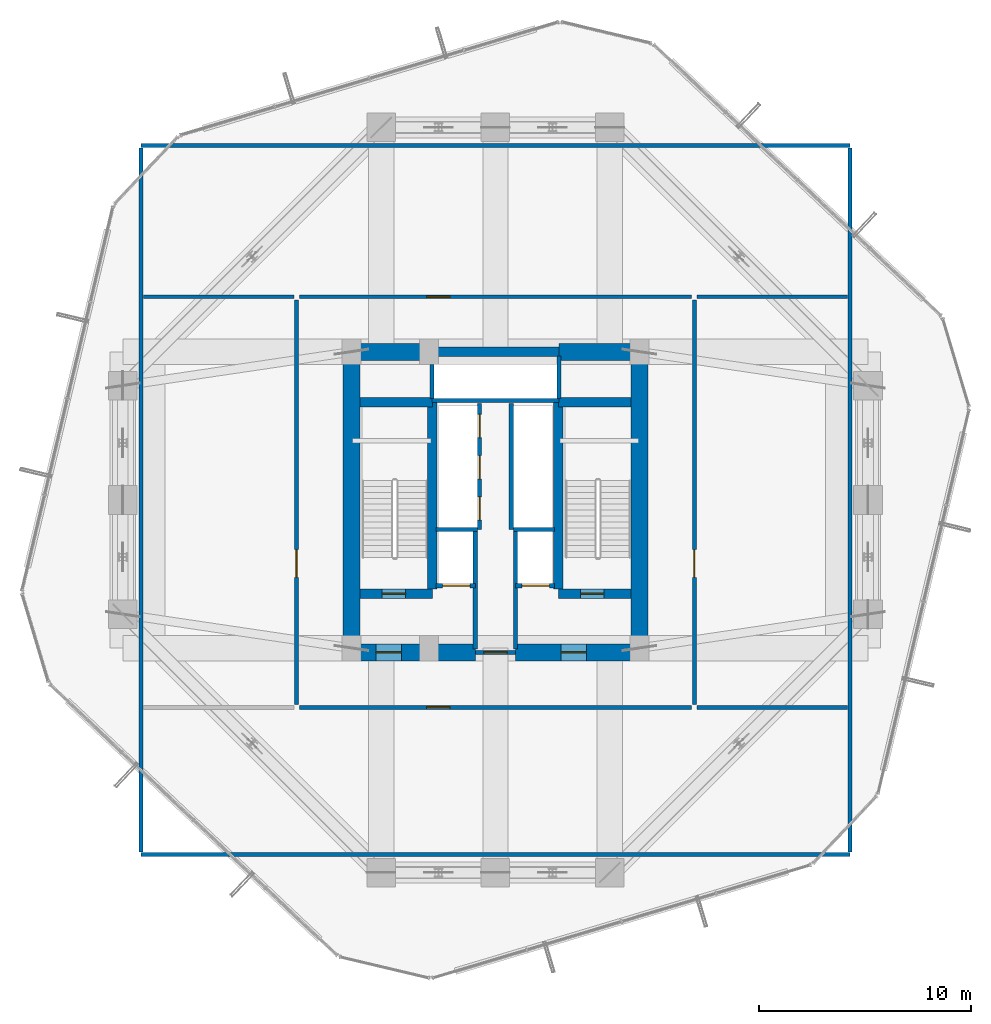
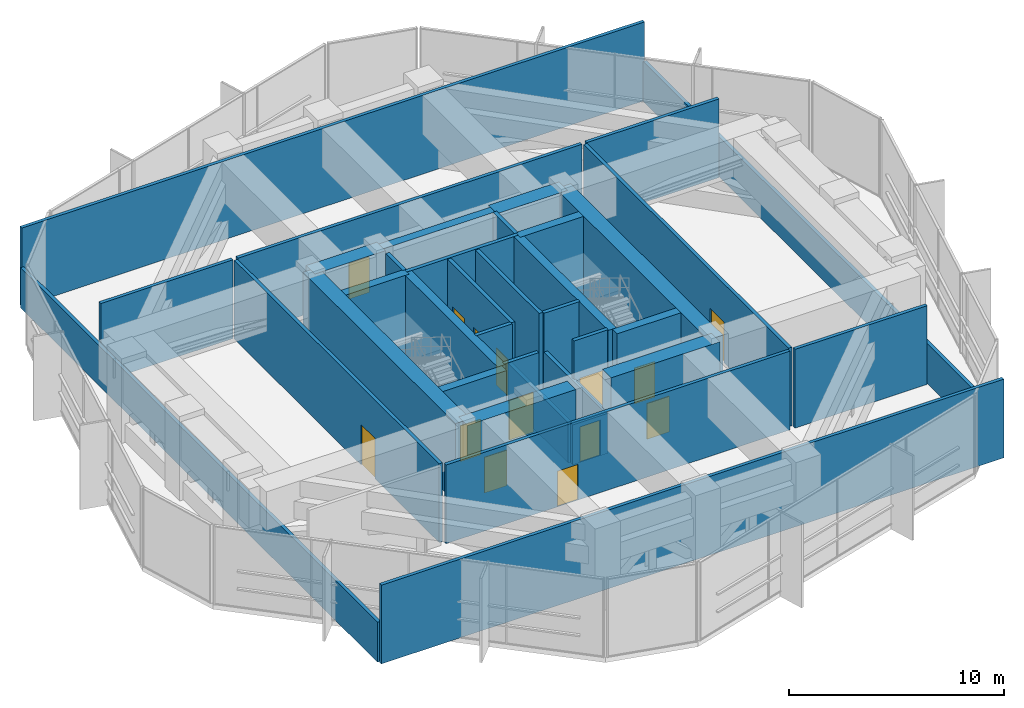
# One storey, part 37 of 41: 36 walls, 14 doors, 14 openings.
"""IFC4 building model written with IfcOpenShell, lengths in metres."""

from ifc_helpers import new_model, si_unit, direction, frame, frame_2d, origin, place, context, subcontext, project, spatial, rectangle, extrude, source, transform, mapped, material, layer, layer_set, type_object, element, fill, save


model = new_model("IFC4")

# Units and contexts
model_context = context("Model", 3, precision=1e-05, world=origin(), true_north=direction((0.0, 1.0)))
body_context = subcontext(model_context, "Body", "Model", "MODEL_VIEW")
ifc_project = project(units=[si_unit("LENGTHUNIT", "METRE"), si_unit("AREAUNIT", "SQUARE_METRE"), si_unit("VOLUMEUNIT", "CUBIC_METRE"), si_unit("PLANEANGLEUNIT", "RADIAN"), si_unit("MASSUNIT", "GRAM", prefix="KILO")], contexts=[model_context])

# Site, building, storey
site_placement = place(None, origin())
site = spatial("IfcSite", under=ifc_project, at=site_placement, CompositionType="ELEMENT")
building_placement = place(site_placement, origin())
building = spatial("IfcBuilding", under=site, at=building_placement, Name="Veraguas Prism Commons", CompositionType="ELEMENT")
storey_placement = place(building_placement, frame((0.0, 0.0, 80.35009765625)))
storey = spatial("IfcBuildingStorey", under=building, at=storey_placement, Name="L22", CompositionType="ELEMENT", Elevation=80.35009765625)

# Wall
ifc_material_1 = material(Name="Concrete C60/75", Category="concrete")
ifc_layer_1 = layer(ifc_material_1, 0.449951171875, Name="Core Internal Shear Wall Lower RC 450", Category="concrete")
ifc_layer_set_1 = layer_set([ifc_layer_1], Name="Concrete C60/75")
wall_type_1 = type_object("IfcWallType", Name="Core Internal Shear Wall Lower RC 450", PredefinedType="SHEAR", material=ifc_layer_set_1)
wall_1_placement = place(storey_placement, frame((21.0, 31.0, 0.0), z_axis=(0.0, 0.0, 1.0), x_axis=(1.0, 0.0, 0.0)))
element("IfcWall", 1, at=wall_1_placement, inside=storey, type_object=wall_type_1, Name="High-Rise Lift Bank Front Shear Wall L22", PredefinedType="SHEAR", context=body_context, shape_type="SweptSolid", body=[
    extrude(rectangle(XDim=6.0, YDim=0.449951171875, at=frame_2d((3.0, 0.0))), origin(), (0.0, 0.0, 1.0), 4.47998046875),
])

# Wall, opening, door
wall_2_placement = place(storey_placement, frame((17.60009765625, 19.574951171875, 0.0), z_axis=(0.0, 0.0, 1.0), x_axis=(1.0, 0.0, 0.0)))
wall_2 = element("IfcWall", 2, at=wall_2_placement, inside=storey, type_object=wall_type_1, Name="Stair ST-01 South Shear Wall L22", PredefinedType="SHEAR", context=body_context, shape_type="SweptSolid", body=[
    extrude(rectangle(XDim=3.4248046875, YDim=0.449951171875, at=frame_2d((1.71240234375, 0.0))), origin(), (0.0, 0.0, 1.0), 4.47998046875),
])
opening_1_placement = place(wall_2_placement, frame((1.050048828125, 0.0, 0.0)))
opening_1 = element("IfcOpeningElement", 3, at=opening_1_placement, cuts=wall_2, Name="Opening DR-05", PredefinedType="OPENING", context=body_context, shape_type="SweptSolid", body=[
    extrude(rectangle(XDim=1.10009765625, YDim=2.030029296875, at=frame_2d((0.550048828125, 1.01513671875))), frame((0.0, 0.23486328125, 0.0), z_axis=(0.0, -1.0, 0.0), x_axis=(1.0, 0.0, 0.0)), (0.0, 0.0, 1.0), 0.469970703125),
])
ifc_material_2 = material(Name="Steel fire-rated door assembly", Category="steel")
door_type_1 = type_object("IfcDoorType", Name="Protected Stair and Refuge Fire Door 1100x2030", OperationType="NOTDEFINED", PredefinedType="DOOR", material=ifc_material_2)
shared_shape_1 = source(origin(), body_context, "Body", "SweptSolid", [
    extrude(rectangle(XDim=1.10009765625, YDim=2.030029296875, at=frame_2d((0.550048828125, 1.01513671875))), frame((0.0, 0.02490234375, 0.0), z_axis=(0.0, -1.0, 0.0), x_axis=(1.0, 0.0, 0.0)), (0.0, 0.0, 1.0), 0.050048828125),
])
door_1_placement = place(opening_1_placement, origin())
door_1 = element("IfcDoor", 4, at=door_1_placement, inside=storey, type_object=door_type_1, Name="Stair ST-01 Enclosure Door L22", OperationType="SINGLE_SWING_LEFT", OverallHeight=2.030029296875, OverallWidth=1.10009765625, PredefinedType="DOOR", context=body_context, shape_type="MappedRepresentation", body=[
    mapped(shared_shape_1, transform((0.0, 0.0, 0.0), scale=1.0)),
])
fill(opening_1, door_1)

wall_3_placement = place(storey_placement, frame((26.97509765625, 19.574951171875, 0.0), z_axis=(0.0, 0.0, 1.0), x_axis=(1.0, 0.0, 0.0)))
wall_3 = element("IfcWall", 5, at=wall_3_placement, inside=storey, type_object=wall_type_1, Name="Stair ST-02 South Shear Wall L22", PredefinedType="SHEAR", context=body_context, shape_type="SweptSolid", body=[
    extrude(rectangle(XDim=3.4248046875, YDim=0.449951171875, at=frame_2d((1.71240234375, 0.0))), origin(), (0.0, 0.0, 1.0), 4.47998046875),
])
opening_2_placement = place(wall_3_placement, frame((1.050048828125, 0.0, 0.0)))
opening_2 = element("IfcOpeningElement", 6, at=opening_2_placement, cuts=wall_3, Name="Opening DR-05", PredefinedType="OPENING", context=body_context, shape_type="SweptSolid", body=[
    extrude(rectangle(XDim=1.10009765625, YDim=2.030029296875, at=frame_2d((0.550048828125, 1.01513671875))), frame((0.0, 0.23486328125, 0.0), z_axis=(0.0, -1.0, 0.0), x_axis=(1.0, 0.0, 0.0)), (0.0, 0.0, 1.0), 0.469970703125),
])
door_2_placement = place(opening_2_placement, origin())
door_2 = element("IfcDoor", 7, at=door_2_placement, inside=storey, type_object=door_type_1, Name="Stair ST-02 Enclosure Door L22", OperationType="SINGLE_SWING_RIGHT", OverallHeight=2.030029296875, OverallWidth=1.10009765625, PredefinedType="DOOR", context=body_context, shape_type="MappedRepresentation", body=[
    mapped(shared_shape_1, transform((0.0, 0.0, 0.0), scale=1.0)),
])
fill(opening_2, door_2)

# Walls
for number, where, z_axis, x_axis, name in (
    (8, (21.02490234375, 19.800048828125, 0.0), (0.0, 0.0, 1.0), (0.0, 1.0, 0.0), "Stair ST-01 Inner Shear Wall L22"),
    (9, (26.97509765625, 19.800048828125, 0.0), (0.0, 0.0, 1.0), (0.0, 1.0, 0.0), "Stair ST-02 Inner Shear Wall L22"),
):
    element("IfcWall", number, at=place(storey_placement, frame(where, z_axis=z_axis, x_axis=x_axis)), inside=storey, type_object=wall_type_1, Name=name, PredefinedType="SHEAR", context=body_context, shape_type="SweptSolid", body=[
        extrude(rectangle(XDim=8.824951171875, YDim=0.449951171875, at=frame_2d((4.41259765625, 0.0))), origin(), (0.0, 0.0, 1.0), 4.47998046875),
    ])
for number, where, z_axis, x_axis, name in (
    (10, (17.60009765625, 28.625, 0.0), (0.0, 0.0, 1.0), (1.0, 0.0, 0.0), "Stair ST-01 North Shear Wall L22"),
    (11, (26.97509765625, 28.625, 0.0), (0.0, 0.0, 1.0), (1.0, 0.0, 0.0), "Stair ST-02 North Shear Wall L22"),
):
    element("IfcWall", number, at=place(storey_placement, frame(where, z_axis=z_axis, x_axis=x_axis)), inside=storey, type_object=wall_type_1, Name=name, PredefinedType="SHEAR", context=body_context, shape_type="SweptSolid", body=[
        extrude(rectangle(XDim=3.4248046875, YDim=0.449951171875, at=frame_2d((1.71240234375, 0.0))), origin(), (0.0, 0.0, 1.0), 4.47998046875),
    ])
ifc_layer_2 = layer(ifc_material_1, 0.800048828125, Name="Core Outer Shear Wall Lower RC 800", Category="concrete")
ifc_layer_set_2 = layer_set([ifc_layer_2], Name="Concrete C60/75")
wall_type_2 = type_object("IfcWallType", Name="Core Outer Shear Wall Lower RC 800", PredefinedType="SHEAR", material=ifc_layer_set_2)
for number, where, z_axis, x_axis, name in (
    (12, (17.199951171875, 16.800048828125, 0.0), (0.0, 0.0, 1.0), (0.0, 1.0, 0.0), "Central Core West Shear Wall L22"),
    (13, (30.800048828125, 16.800048828125, 0.0), (0.0, 0.0, 1.0), (0.0, 1.0, 0.0), "Central Core East Shear Wall L22"),
):
    element("IfcWall", number, at=place(storey_placement, frame(where, z_axis=z_axis, x_axis=x_axis)), inside=storey, type_object=wall_type_2, Name=name, PredefinedType="SHEAR", context=body_context, shape_type="SweptSolid", body=[
        extrude(rectangle(XDim=14.199951171875, YDim=0.800048828125, at=frame_2d((7.10009765625, 0.0))), origin(), (0.0, 0.0, 1.0), 4.47998046875),
    ])

# Wall, opening, door
wall_4_placement = place(storey_placement, frame((17.199951171875, 16.800048828125, 0.0), z_axis=(0.0, 0.0, 1.0), x_axis=(1.0, 0.0, 0.0)))
wall_4 = element("IfcWall", 14, at=wall_4_placement, inside=storey, type_object=wall_type_2, Name="Central Core South-West Shear Wall L22", PredefinedType="SHEAR", context=body_context, shape_type="SweptSolid", body=[
    extrude(rectangle(XDim=5.85009765625, YDim=0.800048828125, at=frame_2d((2.925048828125, 0.0))), origin(), (0.0, 0.0, 1.0), 4.47998046875),
])
opening_3_placement = place(wall_4_placement, frame((1.14990234375, 0.0, 0.0)))
opening_3 = element("IfcOpeningElement", 15, at=opening_3_placement, cuts=wall_4, Name="Opening DR-06", PredefinedType="OPENING", context=body_context, shape_type="SweptSolid", body=[
    extrude(rectangle(XDim=1.199951171875, YDim=2.030029296875, at=frame_2d((0.60009765625, 1.01513671875))), frame((0.0, 0.409912109375, 0.0), z_axis=(0.0, -1.0, 0.0), x_axis=(1.0, 0.0, 0.0)), (0.0, 0.0, 1.0), 0.820068359375),
])
door_type_2 = type_object("IfcDoorType", Name="Firefighting Lobby Smoke Door 1200x2030", OperationType="NOTDEFINED", PredefinedType="DOOR", material=ifc_material_2)
shared_shape_2 = source(origin(), body_context, "Body", "SweptSolid", [
    extrude(rectangle(XDim=1.199951171875, YDim=2.030029296875, at=frame_2d((0.60009765625, 1.01513671875))), frame((0.0, 0.02490234375, 0.0), z_axis=(0.0, -1.0, 0.0), x_axis=(1.0, 0.0, 0.0)), (0.0, 0.0, 1.0), 0.050048828125),
])
door_3_placement = place(opening_3_placement, origin())
door_3 = element("IfcDoor", 16, at=door_3_placement, inside=storey, type_object=door_type_2, Name="West FF Lobby Door L22", OperationType="SINGLE_SWING_RIGHT", OverallHeight=2.030029296875, OverallWidth=1.199951171875, PredefinedType="DOOR", context=body_context, shape_type="MappedRepresentation", body=[
    mapped(shared_shape_2, transform((0.0, 0.0, 0.0), scale=1.0)),
])
fill(opening_3, door_3)

wall_5_placement = place(storey_placement, frame((24.949951171875, 16.800048828125, 0.0), z_axis=(0.0, 0.0, 1.0), x_axis=(1.0, 0.0, 0.0)))
wall_5 = element("IfcWall", 17, at=wall_5_placement, inside=storey, type_object=wall_type_2, Name="Central Core South-East Shear Wall L22", PredefinedType="SHEAR", context=body_context, shape_type="SweptSolid", body=[
    extrude(rectangle(XDim=5.85009765625, YDim=0.800048828125, at=frame_2d((2.925048828125, 0.0))), origin(), (0.0, 0.0, 1.0), 4.47998046875),
])
opening_4_placement = place(wall_5_placement, frame((2.14990234375, 0.0, 0.0)))
opening_4 = element("IfcOpeningElement", 18, at=opening_4_placement, cuts=wall_5, Name="Opening DR-06", PredefinedType="OPENING", context=body_context, shape_type="SweptSolid", body=[
    extrude(rectangle(XDim=1.199951171875, YDim=2.030029296875, at=frame_2d((0.60009765625, 1.01513671875))), frame((0.0, 0.409912109375, 0.0), z_axis=(0.0, -1.0, 0.0), x_axis=(1.0, 0.0, 0.0)), (0.0, 0.0, 1.0), 0.820068359375),
])
door_4_placement = place(opening_4_placement, origin())
door_4 = element("IfcDoor", 19, at=door_4_placement, inside=storey, type_object=door_type_2, Name="East FF Lobby Door L22", OperationType="SINGLE_SWING_RIGHT", OverallHeight=2.030029296875, OverallWidth=1.199951171875, PredefinedType="DOOR", context=body_context, shape_type="MappedRepresentation", body=[
    mapped(shared_shape_2, transform((0.0, 0.0, 0.0), scale=1.0)),
])
fill(opening_4, door_4)

# Walls
for number, where, z_axis, x_axis, name in (
    (20, (17.199951171875, 31.0, 0.0), (0.0, 0.0, 1.0), (1.0, 0.0, 0.0), "Central Core North-West Shear Wall L22"),
    (21, (27.0, 31.0, 0.0), (0.0, 0.0, 1.0), (1.0, 0.0, 0.0), "Central Core North-East Shear Wall L22"),
):
    element("IfcWall", number, at=place(storey_placement, frame(where, z_axis=z_axis, x_axis=x_axis)), inside=storey, type_object=wall_type_2, Name=name, PredefinedType="SHEAR", context=body_context, shape_type="SweptSolid", body=[
        extrude(rectangle(XDim=3.800048828125, YDim=0.800048828125, at=frame_2d((1.89990234375, 0.0))), origin(), (0.0, 0.0, 1.0), 4.47998046875),
    ])

# Wall, opening, door
ifc_material_3 = material(Name="Autoclaved aerated masonry block 10 MPa", Category="masonry")
ifc_layer_3 = layer(ifc_material_3, 0.179931640625, Name="Corridor and Inter-Tenancy Partition 180", Category="masonry")
ifc_layer_set_3 = layer_set([ifc_layer_3], Name="Autoclaved aerated masonry block 10 MPa")
wall_type_3 = type_object("IfcWallType", Name="Corridor and Inter-Tenancy Partition 180", PredefinedType="PARTITIONING", material=ifc_layer_set_3)
wall_6_placement = place(storey_placement, frame((14.75, 14.199951171875, 0.0), z_axis=(0.0, 0.0, 1.0), x_axis=(1.0, 0.0, 0.0)))
wall_6 = element("IfcWall", 22, at=wall_6_placement, inside=storey, type_object=wall_type_3, Name="WL-L22-PLWS", PredefinedType="PARTITIONING", context=body_context, shape_type="SweptSolid", body=[
    extrude(rectangle(XDim=18.5, YDim=0.179931640625, at=frame_2d((9.25, 0.0))), origin(), (0.0, 0.0, 1.0), 4.47998046875),
])
opening_5_placement = place(wall_6_placement, frame((6.0, 0.0, 0.0)))
opening_5 = element("IfcOpeningElement", 23, at=opening_5_placement, cuts=wall_6, Name="Opening DR-05", PredefinedType="OPENING", context=body_context, shape_type="SweptSolid", body=[
    extrude(rectangle(XDim=1.10009765625, YDim=2.030029296875, at=frame_2d((0.550048828125, 1.01513671875))), frame((0.0, 0.099853515625, 0.0), z_axis=(0.0, -1.0, 0.0), x_axis=(1.0, 0.0, 0.0)), (0.0, 0.0, 1.0), 0.199951171875),
])
door_5_placement = place(opening_5_placement, origin())
door_5 = element("IfcDoor", 24, at=door_5_placement, inside=storey, type_object=door_type_1, Name="Chiller and Heat Exchanger Plant Door", OperationType="SINGLE_SWING_LEFT", OverallHeight=2.030029296875, OverallWidth=1.10009765625, PredefinedType="DOOR", context=body_context, shape_type="MappedRepresentation", body=[
    mapped(shared_shape_1, transform((0.0, 0.0, 0.0), scale=1.0)),
])
fill(opening_5, door_5)

wall_7_placement = place(storey_placement, frame((33.39990234375, 14.35009765625, 0.0), z_axis=(0.0, 0.0, 1.0), x_axis=(0.0, 1.0, 0.0)))
wall_7 = element("IfcWall", 25, at=wall_7_placement, inside=storey, type_object=wall_type_3, Name="WL-L22-PLWE", PredefinedType="PARTITIONING", context=body_context, shape_type="SweptSolid", body=[
    extrude(rectangle(XDim=19.099853515625, YDim=0.179931640625, at=frame_2d((9.5498046875, 0.0))), origin(), (0.0, 0.0, 1.0), 4.47998046875),
])
opening_6_placement = place(wall_7_placement, frame((6.0, 0.0, 0.0)))
opening_6 = element("IfcOpeningElement", 26, at=opening_6_placement, cuts=wall_7, Name="Opening DR-11", PredefinedType="OPENING", context=body_context, shape_type="SweptSolid", body=[
    extrude(rectangle(XDim=1.300048828125, YDim=2.300048828125, at=frame_2d((0.64990234375, 1.14990234375))), frame((0.0, 0.099853515625, 0.0), z_axis=(0.0, -1.0, 0.0), x_axis=(1.0, 0.0, 0.0)), (0.0, 0.0, 1.0), 0.199951171875),
])
door_type_3 = type_object("IfcDoorType", Name="Mechanical Plant Room Door 1300x2300", OperationType="NOTDEFINED", PredefinedType="DOOR", material=ifc_material_2)
shared_shape_3 = source(origin(), body_context, "Body", "SweptSolid", [
    extrude(rectangle(XDim=1.300048828125, YDim=2.300048828125, at=frame_2d((0.64990234375, 1.14990234375))), frame((0.0, 0.02490234375, 0.0), z_axis=(0.0, -1.0, 0.0), x_axis=(1.0, 0.0, 0.0)), (0.0, 0.0, 1.0), 0.050048828125),
])
door_6_placement = place(opening_6_placement, origin())
door_6 = element("IfcDoor", 27, at=door_6_placement, inside=storey, type_object=door_type_3, Name="Air Handling Mechanical Plant Door", OperationType="SINGLE_SWING_RIGHT", OverallHeight=2.300048828125, OverallWidth=1.300048828125, PredefinedType="DOOR", context=body_context, shape_type="MappedRepresentation", body=[
    mapped(shared_shape_3, transform((0.0, 0.0, 0.0), scale=1.0)),
])
fill(opening_6, door_6)

wall_8_placement = place(storey_placement, frame((14.75, 33.60009765625, 0.0), z_axis=(0.0, 0.0, 1.0), x_axis=(1.0, 0.0, 0.0)))
wall_8 = element("IfcWall", 28, at=wall_8_placement, inside=storey, type_object=wall_type_3, Name="WL-L22-PLWN", PredefinedType="PARTITIONING", context=body_context, shape_type="SweptSolid", body=[
    extrude(rectangle(XDim=18.5, YDim=0.179931640625, at=frame_2d((9.25, 0.0))), origin(), (0.0, 0.0, 1.0), 4.47998046875),
])
opening_7_placement = place(wall_8_placement, frame((6.0, 0.0, 0.0)))
opening_7 = element("IfcOpeningElement", 29, at=opening_7_placement, cuts=wall_8, Name="Opening DR-05", PredefinedType="OPENING", context=body_context, shape_type="SweptSolid", body=[
    extrude(rectangle(XDim=1.10009765625, YDim=2.030029296875, at=frame_2d((0.550048828125, 1.01513671875))), frame((0.0, 0.099853515625, 0.0), z_axis=(0.0, -1.0, 0.0), x_axis=(1.0, 0.0, 0.0)), (0.0, 0.0, 1.0), 0.199951171875),
])
door_7_placement = place(opening_7_placement, origin())
door_7 = element("IfcDoor", 30, at=door_7_placement, inside=storey, type_object=door_type_1, Name="Protected Refuge Area L22 Door", OperationType="SINGLE_SWING_LEFT", OverallHeight=2.030029296875, OverallWidth=1.10009765625, PredefinedType="DOOR", context=body_context, shape_type="MappedRepresentation", body=[
    mapped(shared_shape_1, transform((0.0, 0.0, 0.0), scale=1.0)),
])
fill(opening_7, door_7)

wall_9_placement = place(storey_placement, frame((14.60009765625, 14.35009765625, 0.0), z_axis=(0.0, 0.0, 1.0), x_axis=(0.0, 1.0, 0.0)))
wall_9 = element("IfcWall", 31, at=wall_9_placement, inside=storey, type_object=wall_type_3, Name="WL-L22-PLWW", PredefinedType="PARTITIONING", context=body_context, shape_type="SweptSolid", body=[
    extrude(rectangle(XDim=19.099853515625, YDim=0.179931640625, at=frame_2d((9.5498046875, 0.0))), origin(), (0.0, 0.0, 1.0), 4.47998046875),
])
opening_8_placement = place(wall_9_placement, frame((6.0, 0.0, 0.0)))
opening_8 = element("IfcOpeningElement", 32, at=opening_8_placement, cuts=wall_9, Name="Opening DR-11", PredefinedType="OPENING", context=body_context, shape_type="SweptSolid", body=[
    extrude(rectangle(XDim=1.300048828125, YDim=2.300048828125, at=frame_2d((0.64990234375, 1.14990234375))), frame((0.0, 0.099853515625, 0.0), z_axis=(0.0, -1.0, 0.0), x_axis=(1.0, 0.0, 0.0)), (0.0, 0.0, 1.0), 0.199951171875),
])
door_8_placement = place(opening_8_placement, origin())
door_8 = element("IfcDoor", 33, at=door_8_placement, inside=storey, type_object=door_type_3, Name="Domestic Water Pump and Switchgear Plant Door", OperationType="SINGLE_SWING_RIGHT", OverallHeight=2.300048828125, OverallWidth=1.300048828125, PredefinedType="DOOR", context=body_context, shape_type="MappedRepresentation", body=[
    mapped(shared_shape_3, transform((0.0, 0.0, 0.0), scale=1.0)),
])
fill(opening_8, door_8)

# Walls
for number, where, z_axis, x_axis, name in (
    (34, (7.25, 7.25, 0.0), (0.0, 0.0, 1.0), (1.0, 0.0, 0.0), "WL-L22-PLPS"),
    (35, (7.25, 40.75, 0.0), (0.0, 0.0, 1.0), (1.0, 0.0, 0.0), "WL-L22-PLPN"),
):
    element("IfcWall", number, at=place(storey_placement, frame(where, z_axis=z_axis, x_axis=x_axis)), inside=storey, type_object=wall_type_3, Name=name, PredefinedType="PARTITIONING", context=body_context, shape_type="SweptSolid", body=[
        extrude(rectangle(XDim=33.5, YDim=0.179931640625, at=frame_2d((16.75, 0.0))), origin(), (0.0, 0.0, 1.0), 4.47998046875),
    ])
for number, where, z_axis, x_axis, name in (
    (36, (7.25, 7.3701171875, 0.0), (0.0, 0.0, 1.0), (0.0, 1.0, 0.0), "WL-L22-PLPW"),
    (37, (40.75, 7.3701171875, 0.0), (0.0, 0.0, 1.0), (0.0, 1.0, 0.0), "WL-L22-PLPE"),
):
    element("IfcWall", number, at=place(storey_placement, frame(where, z_axis=z_axis, x_axis=x_axis)), inside=storey, type_object=wall_type_3, Name=name, PredefinedType="PARTITIONING", context=body_context, shape_type="SweptSolid", body=[
        extrude(rectangle(XDim=33.259765625, YDim=0.179931640625, at=frame_2d((16.6298828125, 0.0))), origin(), (0.0, 0.0, 1.0), 2.27978515625),
    ])
for number, where, z_axis, x_axis, name in (
    (38, (33.52001953125, 14.199951171875, 0.0), (0.0, 0.0, 1.0), (1.0, 0.0, 0.0), "WL-L22-PLDSE"),
    (39, (7.3701171875, 33.60009765625, 0.0), (0.0, 0.0, 1.0), (1.0, 0.0, 0.0), "WL-L22-PLDNW"),
    (40, (33.52001953125, 33.60009765625, 0.0), (0.0, 0.0, 1.0), (1.0, 0.0, 0.0), "WL-L22-PLDNE"),
):
    element("IfcWall", number, at=place(storey_placement, frame(where, z_axis=z_axis, x_axis=x_axis)), inside=storey, type_object=wall_type_3, Name=name, PredefinedType="PARTITIONING", context=body_context, shape_type="SweptSolid", body=[
        extrude(rectangle(XDim=7.10986328125, YDim=0.179931640625, at=frame_2d((3.554931640625, 0.0))), origin(), (0.0, 0.0, 1.0), 4.47998046875),
    ])

# Wall, opening, door
ifc_layer_4 = layer(ifc_material_3, 0.199951171875, Name="Rated Shaft and Lobby Block Wall 200", Category="masonry")
ifc_layer_set_4 = layer_set([ifc_layer_4], Name="Autoclaved aerated masonry block 10 MPa")
wall_type_4 = type_object("IfcWallType", Name="Rated Shaft and Lobby Block Wall 200", PredefinedType="SOLIDWALL", material=ifc_layer_set_4)
wall_10_placement = place(storey_placement, frame((23.050048828125, 16.800048828125, 0.0), z_axis=(0.0, 0.0, 1.0), x_axis=(1.0, 0.0, 0.0)))
wall_10 = element("IfcWall", 41, at=wall_10_placement, inside=storey, type_object=wall_type_4, Name="Central Core Lobby Entrance Wall L22", PredefinedType="SOLIDWALL", context=body_context, shape_type="SweptSolid", body=[
    extrude(rectangle(XDim=1.89990234375, YDim=0.199951171875, at=frame_2d((0.949951171875, 0.0))), origin(), (0.0, 0.0, 1.0), 2.27978515625),
])
opening_9_placement = place(wall_10_placement, frame((0.39990234375, 0.0, 0.0)))
opening_9 = element("IfcOpeningElement", 42, at=opening_9_placement, cuts=wall_10, Name="Opening DR-05", PredefinedType="OPENING", context=body_context, shape_type="SweptSolid", body=[
    extrude(rectangle(XDim=1.10009765625, YDim=2.030029296875, at=frame_2d((0.550048828125, 1.01513671875))), frame((0.0, 0.10986328125, 0.0), z_axis=(0.0, -1.0, 0.0), x_axis=(1.0, 0.0, 0.0)), (0.0, 0.0, 1.0), 0.219970703125),
])
door_9_placement = place(opening_9_placement, origin())
door_9 = element("IfcDoor", 43, at=door_9_placement, inside=storey, type_object=door_type_1, Name="Central Lobby Door L22", OperationType="SINGLE_SWING_LEFT", OverallHeight=2.030029296875, OverallWidth=1.10009765625, PredefinedType="DOOR", context=body_context, shape_type="MappedRepresentation", body=[
    mapped(shared_shape_1, transform((0.0, 0.0, 0.0), scale=1.0)),
])
fill(opening_9, door_9)

wall_11_placement = place(storey_placement, frame((21.199951171875, 19.949951171875, 0.0), z_axis=(0.0, 0.0, 1.0), x_axis=(1.0, 0.0, 0.0)))
wall_11 = element("IfcWall", 44, at=wall_11_placement, inside=storey, type_object=wall_type_4, Name="Firefighting Lift FFL-1 Front Wall L22", PredefinedType="SOLIDWALL", context=body_context, shape_type="SweptSolid", body=[
    extrude(rectangle(XDim=1.85009765625, YDim=0.199951171875, at=frame_2d((0.925048828125, 0.0))), origin(), (0.0, 0.0, 1.0), 4.47998046875),
])
opening_10_placement = place(wall_11_placement, frame((0.300048828125, 0.0, 0.0)))
opening_10 = element("IfcOpeningElement", 45, at=opening_10_placement, cuts=wall_11, Name="Opening LD-02", PredefinedType="OPENING", context=body_context, shape_type="SweptSolid", body=[
    extrude(rectangle(XDim=1.300048828125, YDim=2.25, at=frame_2d((0.64990234375, 1.125))), frame((0.0, 0.10986328125, 0.0), z_axis=(0.0, -1.0, 0.0), x_axis=(1.0, 0.0, 0.0)), (0.0, 0.0, 1.0), 0.219970703125),
])
ifc_material_4 = material(Name="Stainless steel AISI 316", Category="steel")
door_type_4 = type_object("IfcDoorType", Name="Firefighting Lift Sliding Landing Door 1300x2250", OperationType="NOTDEFINED", PredefinedType="DOOR", material=ifc_material_4)
shared_shape_4 = source(origin(), body_context, "Body", "SweptSolid", [
    extrude(rectangle(XDim=1.300048828125, YDim=2.25, at=frame_2d((0.64990234375, 1.125))), frame((0.0, 0.02490234375, 0.0), z_axis=(0.0, -1.0, 0.0), x_axis=(1.0, 0.0, 0.0)), (0.0, 0.0, 1.0), 0.050048828125),
])
door_10_placement = place(opening_10_placement, origin())
door_10 = element("IfcDoor", 46, at=door_10_placement, inside=storey, type_object=door_type_4, Name="Firefighting Lift FFL-1 Landing Door L22", OperationType="SLIDING_TO_LEFT", OverallHeight=2.25, OverallWidth=1.300048828125, PredefinedType="DOOR", context=body_context, shape_type="MappedRepresentation", body=[
    mapped(shared_shape_4, transform((0.0, 0.0, 0.0), scale=1.0)),
])
fill(opening_10, door_10)

wall_12_placement = place(storey_placement, frame((24.949951171875, 19.949951171875, 0.0), z_axis=(0.0, 0.0, 1.0), x_axis=(1.0, 0.0, 0.0)))
wall_12 = element("IfcWall", 47, at=wall_12_placement, inside=storey, type_object=wall_type_4, Name="Firefighting Lift FFL-2 Front Wall L22", PredefinedType="SOLIDWALL", context=body_context, shape_type="SweptSolid", body=[
    extrude(rectangle(XDim=1.85009765625, YDim=0.199951171875, at=frame_2d((0.925048828125, 0.0))), origin(), (0.0, 0.0, 1.0), 4.47998046875),
])
opening_11_placement = place(wall_12_placement, frame((0.300048828125, 0.0, 0.0)))
opening_11 = element("IfcOpeningElement", 48, at=opening_11_placement, cuts=wall_12, Name="Opening LD-02", PredefinedType="OPENING", context=body_context, shape_type="SweptSolid", body=[
    extrude(rectangle(XDim=1.300048828125, YDim=2.25, at=frame_2d((0.64990234375, 1.125))), frame((0.0, 0.10986328125, 0.0), z_axis=(0.0, -1.0, 0.0), x_axis=(1.0, 0.0, 0.0)), (0.0, 0.0, 1.0), 0.219970703125),
])
door_11_placement = place(opening_11_placement, origin())
door_11 = element("IfcDoor", 49, at=door_11_placement, inside=storey, type_object=door_type_4, Name="Firefighting Lift FFL-2 Front Wall L22", OperationType="SLIDING_TO_LEFT", OverallHeight=2.25, OverallWidth=1.300048828125, PredefinedType="DOOR", context=body_context, shape_type="MappedRepresentation", body=[
    mapped(shared_shape_4, transform((0.0, 0.0, 0.0), scale=1.0)),
])
fill(opening_11, door_11)

# Walls
for number, where, z_axis, x_axis, name in (
    (50, (23.050048828125, 16.949951171875, 0.0), (0.0, 0.0, 1.0), (0.0, 1.0, 0.0), "West FF Lobby Divider Wall L22"),
    (51, (24.949951171875, 16.949951171875, 0.0), (0.0, 0.0, 1.0), (0.0, 1.0, 0.0), "East FF Lobby Divider Wall L22"),
):
    element("IfcWall", number, at=place(storey_placement, frame(where, z_axis=z_axis, x_axis=x_axis)), inside=storey, type_object=wall_type_4, Name=name, PredefinedType="SOLIDWALL", context=body_context, shape_type="SweptSolid", body=[
        extrude(rectangle(XDim=5.60009765625, YDim=0.199951171875, at=frame_2d((2.800048828125, 0.0))), origin(), (0.0, 0.0, 1.0), 2.27978515625),
    ])
for number, where, z_axis, x_axis, name in (
    (52, (21.199951171875, 22.60009765625, 0.0), (0.0, 0.0, 1.0), (1.0, 0.0, 0.0), "Firefighting Lift FFL-1 Rear Wall L22"),
    (53, (24.85009765625, 22.60009765625, 0.0), (0.0, 0.0, 1.0), (1.0, 0.0, 0.0), "Firefighting Lift FFL-2 Rear Wall L22"),
):
    element("IfcWall", number, at=place(storey_placement, frame(where, z_axis=z_axis, x_axis=x_axis)), inside=storey, type_object=wall_type_4, Name=name, PredefinedType="SOLIDWALL", context=body_context, shape_type="SweptSolid", body=[
        extrude(rectangle(XDim=1.949951171875, YDim=0.199951171875, at=frame_2d((0.97509765625, 0.0))), origin(), (0.0, 0.0, 1.0), 4.47998046875),
    ])
wall_13_placement = place(storey_placement, frame((21.0, 28.699951171875, 0.0), z_axis=(0.0, 0.0, 1.0), x_axis=(1.0, 0.0, 0.0)))
element("IfcWall", 54, at=wall_13_placement, inside=storey, type_object=wall_type_4, Name="High-Rise Lift Bank Rear Shaft Wall L22", PredefinedType="SOLIDWALL", context=body_context, shape_type="SweptSolid", body=[
    extrude(rectangle(XDim=6.0, YDim=0.199951171875, at=frame_2d((3.0, 0.0))), origin(), (0.0, 0.0, 1.0), 4.47998046875),
])
wall_14_placement = place(storey_placement, frame((21.0, 28.800048828125, 0.0), z_axis=(0.0, 0.0, 1.0), x_axis=(0.0, 1.0, 0.0)))
element("IfcWall", 55, at=wall_14_placement, inside=storey, type_object=wall_type_4, Name="High-Rise Lift Bank West Shaft Wall L22", PredefinedType="SOLIDWALL", context=body_context, shape_type="SweptSolid", body=[
    extrude(rectangle(XDim=1.599853515625, YDim=0.199951171875, at=frame_2d((0.7998046875, 0.0))), origin(), (0.0, 0.0, 1.0), 4.47998046875),
])
wall_15_placement = place(storey_placement, frame((27.0, 28.800048828125, 0.0), z_axis=(0.0, 0.0, 1.0), x_axis=(0.0, 1.0, 0.0)))
element("IfcWall", 56, at=wall_15_placement, inside=storey, type_object=wall_type_4, Name="High-Rise Lift Bank East Shaft Wall L22", PredefinedType="SOLIDWALL", context=body_context, shape_type="SweptSolid", body=[
    extrude(rectangle(XDim=2.0, YDim=0.199951171875, at=frame_2d((1.0, 0.0))), origin(), (0.0, 0.0, 1.0), 4.47998046875),
])

# Wall, openings, doors
wall_16_placement = place(storey_placement, frame((23.25, 22.60009765625, 0.0), z_axis=(0.0, 0.0, 1.0), x_axis=(0.0, 1.0, 0.0)))
wall_16 = element("IfcWall", 57, at=wall_16_placement, inside=storey, type_object=wall_type_4, Name="Low-Rise Lift Bank Front Wall L22", PredefinedType="SOLIDWALL", context=body_context, shape_type="SweptSolid", body=[
    extrude(rectangle(XDim=5.949951171875, YDim=0.199951171875, at=frame_2d((2.97509765625, 0.0))), origin(), (0.0, 0.0, 1.0), 4.47998046875),
])
opening_12_placement = place(wall_16_placement, frame((0.449951171875, 0.0, 0.0)))
opening_12 = element("IfcOpeningElement", 58, at=opening_12_placement, cuts=wall_16, Name="Opening LD-01", PredefinedType="OPENING", context=body_context, shape_type="SweptSolid", body=[
    extrude(rectangle(XDim=1.10009765625, YDim=2.080078125, at=frame_2d((0.550048828125, 1.0400390625))), frame((0.0, 0.10986328125, 0.0), z_axis=(0.0, -1.0, 0.0), x_axis=(1.0, 0.0, 0.0)), (0.0, 0.0, 1.0), 0.219970703125),
])
opening_13_placement = place(wall_16_placement, frame((2.39990234375, 0.0, 0.0)))
opening_13 = element("IfcOpeningElement", 59, at=opening_13_placement, cuts=wall_16, Name="Opening LD-01", PredefinedType="OPENING", context=body_context, shape_type="SweptSolid", body=[
    extrude(rectangle(XDim=1.10009765625, YDim=2.080078125, at=frame_2d((0.550048828125, 1.0400390625))), frame((0.0, 0.10986328125, 0.0), z_axis=(0.0, -1.0, 0.0), x_axis=(1.0, 0.0, 0.0)), (0.0, 0.0, 1.0), 0.219970703125),
])
opening_14_placement = place(wall_16_placement, frame((4.35009765625, 0.0, 0.0)))
opening_14 = element("IfcOpeningElement", 60, at=opening_14_placement, cuts=wall_16, Name="Opening LD-01", PredefinedType="OPENING", context=body_context, shape_type="SweptSolid", body=[
    extrude(rectangle(XDim=1.10009765625, YDim=2.080078125, at=frame_2d((0.550048828125, 1.0400390625))), frame((0.0, 0.10986328125, 0.0), z_axis=(0.0, -1.0, 0.0), x_axis=(1.0, 0.0, 0.0)), (0.0, 0.0, 1.0), 0.219970703125),
])
door_type_5 = type_object("IfcDoorType", Name="Passenger Lift Sliding Landing Door 1100x2080", OperationType="NOTDEFINED", PredefinedType="DOOR", material=ifc_material_4)
shared_shape_5 = source(origin(), body_context, "Body", "SweptSolid", [
    extrude(rectangle(XDim=1.10009765625, YDim=2.080078125, at=frame_2d((0.550048828125, 1.0400390625))), frame((0.0, 0.02490234375, 0.0), z_axis=(0.0, -1.0, 0.0), x_axis=(1.0, 0.0, 0.0)), (0.0, 0.0, 1.0), 0.050048828125),
])
door_12_placement = place(opening_12_placement, origin())
door_12 = element("IfcDoor", 61, at=door_12_placement, inside=storey, type_object=door_type_5, Name="Sliding Landing Door PL-L1 L22", OperationType="SLIDING_TO_LEFT", OverallHeight=2.080078125, OverallWidth=1.10009765625, PredefinedType="DOOR", context=body_context, shape_type="MappedRepresentation", body=[
    mapped(shared_shape_5, transform((0.0, 0.0, 0.0), scale=1.0)),
])
fill(opening_12, door_12)
door_13_placement = place(opening_13_placement, origin())
door_13 = element("IfcDoor", 62, at=door_13_placement, inside=storey, type_object=door_type_5, Name="Sliding Landing Door PL-L2 L22", OperationType="SLIDING_TO_LEFT", OverallHeight=2.080078125, OverallWidth=1.10009765625, PredefinedType="DOOR", context=body_context, shape_type="MappedRepresentation", body=[
    mapped(shared_shape_5, transform((0.0, 0.0, 0.0), scale=1.0)),
])
fill(opening_13, door_13)
door_14_placement = place(opening_14_placement, origin())
door_14 = element("IfcDoor", 63, at=door_14_placement, inside=storey, type_object=door_type_5, Name="Sliding Landing Door PL-L3 L22", OperationType="SLIDING_TO_LEFT", OverallHeight=2.080078125, OverallWidth=1.10009765625, PredefinedType="DOOR", context=body_context, shape_type="MappedRepresentation", body=[
    mapped(shared_shape_5, transform((0.0, 0.0, 0.0), scale=1.0)),
])
fill(opening_14, door_14)

# Wall
wall_17_placement = place(storey_placement, frame((24.75, 22.60009765625, 0.0), z_axis=(0.0, 0.0, 1.0), x_axis=(0.0, 1.0, 0.0)))
element("IfcWall", 64, at=wall_17_placement, inside=storey, type_object=wall_type_4, Name="Mid-Rise Lift Bank Front Wall L22", PredefinedType="SOLIDWALL", context=body_context, shape_type="SweptSolid", body=[
    extrude(rectangle(XDim=5.949951171875, YDim=0.199951171875, at=frame_2d((2.97509765625, 0.0))), origin(), (0.0, 0.0, 1.0), 4.47998046875),
])

save(model, "model.ifc")
